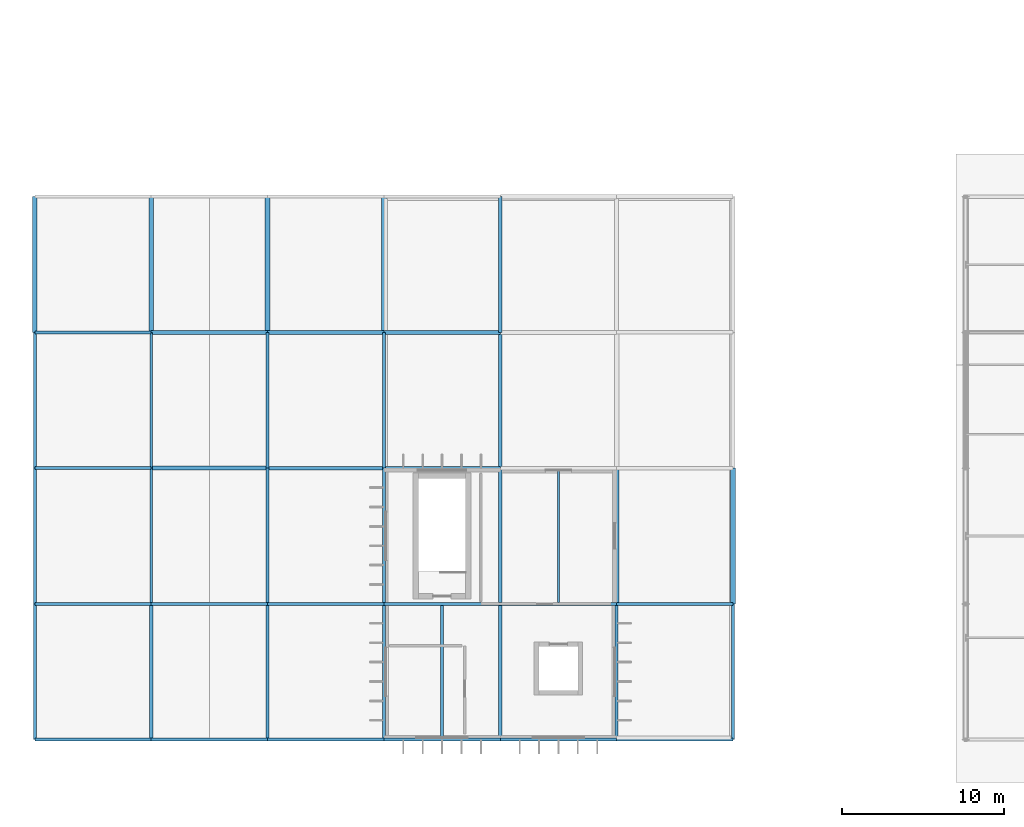
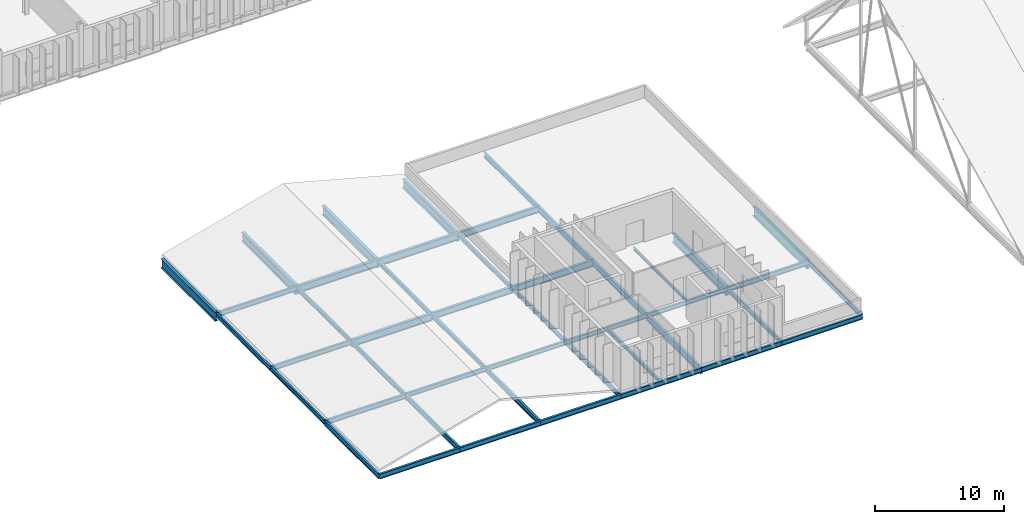
# One storey, part 17 of 99: 46 beams.
"""IFC4 building model written with IfcOpenShell, lengths in metres."""

from ifc_helpers import new_model, si_unit, direction, frame, origin, origin_2d, place, context, subcontext, project, spatial, i_section, extrude, material, material_profile, profile_set, type_object, element, save


model = new_model("IFC4")

# Units and contexts
model_context = context("Model", 3, precision=1e-05, world=origin(), true_north=direction((0.0, 1.0)))
body_context = subcontext(model_context, "Body", "Model", "MODEL_VIEW")
ifc_project = project(units=[si_unit("LENGTHUNIT", "METRE"), si_unit("AREAUNIT", "SQUARE_METRE"), si_unit("VOLUMEUNIT", "CUBIC_METRE"), si_unit("PLANEANGLEUNIT", "RADIAN"), si_unit("MASSUNIT", "GRAM", prefix="KILO")], contexts=[model_context])

# Site, building, storey
site_placement = place(None, origin())
site = spatial("IfcSite", under=ifc_project, at=site_placement, CompositionType="ELEMENT")
building_placement = place(site_placement, origin())
building = spatial("IfcBuilding", under=site, at=building_placement, Name="Qelthora Terrace Specialist Clinic", CompositionType="ELEMENT")
storey_placement = place(building_placement, frame((0.0, 0.0, 9.0)))
storey = spatial("IfcBuildingStorey", under=building, at=storey_placement, Name="L02", CompositionType="ELEMENT", Elevation=9.0)

# Beams
ifc_material = material(Name="Steel S355", Category="steel")
ifc_material_profile_1 = material_profile(ifc_material, i_section(OverallWidth=0.178955078125, OverallDepth=0.409912109375, WebThickness=0.0087890625, FlangeThickness=0.014404296875, FilletRadius=0.011962890625, at=origin_2d()), Name="W410X67")
ifc_profile_set_1 = profile_set([ifc_material_profile_1], Name="Steel S355")
beam_type_1 = type_object("IfcBeamType", Name="BM-W410X67", PredefinedType="BEAM", material=ifc_profile_set_1)
beam_1_placement = place(storey_placement, frame((14.39990234375, 8.39990234375, -0.455078125), z_axis=(1.0, 0.0, 0.0), x_axis=(0.0, 1.0, 0.0)))
element("IfcBeam", 1, at=beam_1_placement, inside=storey, type_object=beam_type_1, Name="Girder BMX-L02-0570", PredefinedType="BEAM", context=body_context, shape_type="SweptSolid", body=[
    extrude(i_section(OverallWidth=0.178955078125, OverallDepth=0.409912109375, WebThickness=0.0087890625, FlangeThickness=0.014404296875, FilletRadius=0.011962890625, at=origin_2d()), origin(), (0.0, 0.0, 1.0), 7.2001953125),
])
beam_2_placement = place(storey_placement, frame((28.800048828125, 8.39990234375, -0.455078125), z_axis=(1.0, 0.0, 0.0), x_axis=(0.0, 1.0, 0.0)))
element("IfcBeam", 2, at=beam_2_placement, inside=storey, type_object=beam_type_1, Name="Girder BMX-L02-0572", PredefinedType="BEAM", context=body_context, shape_type="SweptSolid", body=[
    extrude(i_section(OverallWidth=0.178955078125, OverallDepth=0.409912109375, WebThickness=0.0087890625, FlangeThickness=0.014404296875, FilletRadius=0.011962890625, at=origin_2d()), origin(), (0.0, 0.0, 1.0), 7.199951171875),
])
for number, where, z_axis, x_axis, name in (
    (3, (0.0, 16.800048828125, -0.455078125), (0.0, 1.0, 0.0), (-1.0, 0.0, 0.0), "Girder BMY-L02-0740"),
    (4, (7.199951171875, 16.800048828125, -0.455078125), (0.0, 1.0, 0.0), (-1.0, 0.0, 0.0), "Girder BMY-L02-0750"),
    (5, (14.39990234375, 16.800048828125, -0.455078125), (0.0, 1.0, 0.0), (-1.0, 0.0, 0.0), "Girder BMY-L02-0760"),
    (6, (21.60009765625, 16.800048828125, -0.458984375), (0.0, 1.0, 0.0), (-1.0, 0.0, 0.0), "Girder BMY-L02-0770"),
    (7, (36.0, 0.0, -0.458984375), (0.0, 1.0, 0.0), (-1.0, 0.0, 0.0), "Girder BMY-L02-0780"),
    (8, (43.199951171875, 0.0, -0.458984375), (0.0, 1.0, 0.0), (-1.0, 0.0, 0.0), "Girder BMY-L02-0790"),
):
    element("IfcBeam", number, at=place(storey_placement, frame(where, z_axis=z_axis, x_axis=x_axis)), inside=storey, type_object=beam_type_1, Name=name, PredefinedType="BEAM", context=body_context, shape_type="SweptSolid", body=[
        extrude(i_section(OverallWidth=0.178955078125, OverallDepth=0.409912109375, WebThickness=0.0087890625, FlangeThickness=0.014404296875, FilletRadius=0.011962890625, at=origin_2d()), origin(), (0.0, 0.0, 1.0), 8.39990234375),
    ])
ifc_material_profile_2 = material_profile(ifc_material, i_section(OverallWidth=0.179931640625, OverallDepth=0.4130859375, WebThickness=0.009765625, FlangeThickness=0.01611328125, FilletRadius=0.011962890625, at=origin_2d()), Name="W410X75")
ifc_profile_set_2 = profile_set([ifc_material_profile_2], Name="Steel S355")
beam_type_2 = type_object("IfcBeamType", Name="BM-W410X75", PredefinedType="BEAM", material=ifc_profile_set_2)
for number, where, z_axis, x_axis, name in (
    (9, (7.199951171875, 8.39990234375, -0.45654296875), (1.0, 0.0, 0.0), (0.0, 1.0, 0.0), "Girder BMX-L02-0569"),
    (10, (21.60009765625, 8.39990234375, -0.45654296875), (1.0, 0.0, 0.0), (0.0, 1.0, 0.0), "Girder BMX-L02-0571"),
):
    element("IfcBeam", number, at=place(storey_placement, frame(where, z_axis=z_axis, x_axis=x_axis)), inside=storey, type_object=beam_type_2, Name=name, PredefinedType="BEAM", context=body_context, shape_type="SweptSolid", body=[
        extrude(i_section(OverallWidth=0.179931640625, OverallDepth=0.4130859375, WebThickness=0.009765625, FlangeThickness=0.01611328125, FilletRadius=0.011962890625, at=origin_2d()), origin(), (0.0, 0.0, 1.0), 7.199951171875),
    ])
for number, where, z_axis, x_axis, name in (
    (11, (0.0, 8.39990234375, -0.45654296875), (0.0, 1.0, 0.0), (-1.0, 0.0, 0.0), "Girder BMY-L02-0739"),
    (12, (7.199951171875, 8.39990234375, -0.45654296875), (0.0, 1.0, 0.0), (-1.0, 0.0, 0.0), "Girder BMY-L02-0749"),
    (13, (14.39990234375, 8.39990234375, -0.45654296875), (0.0, 1.0, 0.0), (-1.0, 0.0, 0.0), "Girder BMY-L02-0759"),
    (14, (21.60009765625, 8.39990234375, -0.45654296875), (0.0, 1.0, 0.0), (-1.0, 0.0, 0.0), "Girder BMY-L02-0769"),
):
    element("IfcBeam", number, at=place(storey_placement, frame(where, z_axis=z_axis, x_axis=x_axis)), inside=storey, type_object=beam_type_2, Name=name, PredefinedType="BEAM", context=body_context, shape_type="SweptSolid", body=[
        extrude(i_section(OverallWidth=0.179931640625, OverallDepth=0.4130859375, WebThickness=0.009765625, FlangeThickness=0.01611328125, FilletRadius=0.011962890625, at=origin_2d()), origin(), (0.0, 0.0, 1.0), 8.400146484375),
    ])
ifc_material_profile_3 = material_profile(ifc_material, i_section(OverallWidth=0.19091796875, OverallDepth=0.4599609375, WebThickness=0.010009765625, FlangeThickness=0.01611328125, FilletRadius=0.012939453125, at=origin_2d()), Name="W460X82")
ifc_profile_set_3 = profile_set([ifc_material_profile_3], Name="Steel S355")
beam_type_3 = type_object("IfcBeamType", Name="BM-W460X82", PredefinedType="BEAM", material=ifc_profile_set_3)
beam_3_placement = place(storey_placement, frame((36.0, 8.39990234375, -0.48388671875), z_axis=(1.0, 0.0, 0.0), x_axis=(0.0, 1.0, 0.0)))
element("IfcBeam", 15, at=beam_3_placement, inside=storey, type_object=beam_type_3, Name="Girder BMX-L02-0573", PredefinedType="BEAM", context=body_context, shape_type="SweptSolid", body=[
    extrude(i_section(OverallWidth=0.19091796875, OverallDepth=0.4599609375, WebThickness=0.010009765625, FlangeThickness=0.01611328125, FilletRadius=0.012939453125, at=origin_2d()), origin(), (0.0, 0.0, 1.0), 7.199951171875),
])
for number, where, z_axis, x_axis, name in (
    (16, (0.0, 0.0, -0.47998046875), (0.0, 1.0, 0.0), (-1.0, 0.0, 0.0), "Girder BMY-L02-0738"),
    (17, (7.199951171875, 0.0, -0.47998046875), (0.0, 1.0, 0.0), (-1.0, 0.0, 0.0), "Girder BMY-L02-0748"),
    (18, (14.39990234375, 0.0, -0.47998046875), (0.0, 1.0, 0.0), (-1.0, 0.0, 0.0), "Girder BMY-L02-0758"),
    (19, (21.60009765625, 0.0, -0.47998046875), (0.0, 1.0, 0.0), (-1.0, 0.0, 0.0), "Girder BMY-L02-0768"),
):
    element("IfcBeam", number, at=place(storey_placement, frame(where, z_axis=z_axis, x_axis=x_axis)), inside=storey, type_object=beam_type_3, Name=name, PredefinedType="BEAM", context=body_context, shape_type="SweptSolid", body=[
        extrude(i_section(OverallWidth=0.19091796875, OverallDepth=0.4599609375, WebThickness=0.010009765625, FlangeThickness=0.01611328125, FilletRadius=0.012939453125, at=origin_2d()), origin(), (0.0, 0.0, 1.0), 8.39990234375),
    ])
ifc_material_profile_4 = material_profile(ifc_material, i_section(OverallWidth=0.193115234375, OverallDepth=0.466064453125, WebThickness=0.011474609375, FlangeThickness=0.01904296875, FilletRadius=0.012939453125, at=origin_2d()), Name="W460X97")
ifc_profile_set_4 = profile_set([ifc_material_profile_4], Name="Steel S355")
beam_type_4 = type_object("IfcBeamType", Name="BM-W460X97", PredefinedType="BEAM", material=ifc_profile_set_4)
beam_4_placement = place(storey_placement, frame((28.800048828125, 25.199951171875, -0.487060546875), z_axis=(0.0, 1.0, 0.0), x_axis=(-1.0, 0.0, 0.0)))
element("IfcBeam", 20, at=beam_4_placement, inside=storey, type_object=beam_type_4, Name="Girder BMY-L02-0777", PredefinedType="BEAM", context=body_context, shape_type="SweptSolid", body=[
    extrude(i_section(OverallWidth=0.193115234375, OverallDepth=0.466064453125, WebThickness=0.011474609375, FlangeThickness=0.01904296875, FilletRadius=0.012939453125, at=origin_2d()), origin(), (0.0, 0.0, 1.0), 8.400146484375),
])
ifc_material_profile_5 = material_profile(ifc_material, i_section(OverallWidth=0.2099609375, OverallDepth=0.537109375, WebThickness=0.010986328125, FlangeThickness=0.017333984375, FilletRadius=0.013916015625, at=origin_2d()), Name="W530X101")
ifc_profile_set_5 = profile_set([ifc_material_profile_5], Name="Steel S355")
beam_type_5 = type_object("IfcBeamType", Name="BM-W530X101", PredefinedType="BEAM", material=ifc_profile_set_5)
beam_5_placement = place(storey_placement, frame((28.800048828125, 16.800048828125, -0.5224609375), z_axis=(0.0, 1.0, 0.0), x_axis=(-1.0, 0.0, 0.0)))
element("IfcBeam", 21, at=beam_5_placement, inside=storey, type_object=beam_type_5, Name="Girder BMY-L02-0776", PredefinedType="BEAM", context=body_context, shape_type="SweptSolid", body=[
    extrude(i_section(OverallWidth=0.2099609375, OverallDepth=0.537109375, WebThickness=0.010986328125, FlangeThickness=0.017333984375, FilletRadius=0.013916015625, at=origin_2d()), origin(), (0.0, 0.0, 1.0), 8.39990234375),
])
ifc_material_profile_6 = material_profile(ifc_material, i_section(OverallWidth=0.2119140625, OverallDepth=0.5439453125, WebThickness=0.01318359375, FlangeThickness=0.021240234375, FilletRadius=0.013916015625, at=origin_2d()), Name="W530X123")
ifc_profile_set_6 = profile_set([ifc_material_profile_6], Name="Steel S355")
beam_type_6 = type_object("IfcBeamType", Name="BM-W530X123", PredefinedType="BEAM", material=ifc_profile_set_6)
beam_6_placement = place(storey_placement, frame((28.800048828125, 8.39990234375, -0.52197265625), z_axis=(0.0, 1.0, 0.0), x_axis=(-1.0, 0.0, 0.0)))
element("IfcBeam", 22, at=beam_6_placement, inside=storey, type_object=beam_type_6, Name="Girder BMY-L02-0775", PredefinedType="BEAM", context=body_context, shape_type="SweptSolid", body=[
    extrude(i_section(OverallWidth=0.2119140625, OverallDepth=0.5439453125, WebThickness=0.01318359375, FlangeThickness=0.021240234375, FilletRadius=0.013916015625, at=origin_2d()), origin(), (0.0, 0.0, 1.0), 8.400146484375),
])
ifc_material_profile_7 = material_profile(ifc_material, i_section(OverallWidth=0.22900390625, OverallDepth=0.612060546875, WebThickness=0.011962890625, FlangeThickness=0.01953125, FilletRadius=0.01611328125, at=origin_2d()), Name="W610X125")
ifc_profile_set_7 = profile_set([ifc_material_profile_7], Name="Steel S355")
beam_type_7 = type_object("IfcBeamType", Name="BM-W610X125", PredefinedType="BEAM", material=ifc_profile_set_7)
beam_7_placement = place(storey_placement, frame((21.60009765625, 16.800048828125, -0.56005859375), z_axis=(1.0, 0.0, 0.0), x_axis=(0.0, 1.0, 0.0)))
element("IfcBeam", 23, at=beam_7_placement, inside=storey, type_object=beam_type_7, Name="Girder BMX-L02-0578", PredefinedType="BEAM", context=body_context, shape_type="SweptSolid", body=[
    extrude(i_section(OverallWidth=0.22900390625, OverallDepth=0.612060546875, WebThickness=0.011962890625, FlangeThickness=0.01953125, FilletRadius=0.01611328125, at=origin_2d()), origin(), (0.0, 0.0, 1.0), 7.199951171875),
])
ifc_material_profile_8 = material_profile(ifc_material, i_section(OverallWidth=0.22998046875, OverallDepth=0.616943359375, WebThickness=0.01318359375, FlangeThickness=0.022216796875, FilletRadius=0.01611328125, at=origin_2d()), Name="W610X140")
ifc_profile_set_8 = profile_set([ifc_material_profile_8], Name="Steel S355")
beam_type_8 = type_object("IfcBeamType", Name="BM-W610X140", PredefinedType="BEAM", material=ifc_profile_set_8)
beam_8_placement = place(storey_placement, frame((14.39990234375, 16.800048828125, -0.55859375), z_axis=(1.0, 0.0, 0.0), x_axis=(0.0, 1.0, 0.0)))
element("IfcBeam", 24, at=beam_8_placement, inside=storey, type_object=beam_type_8, Name="Girder BMX-L02-0577", PredefinedType="BEAM", context=body_context, shape_type="SweptSolid", body=[
    extrude(i_section(OverallWidth=0.22998046875, OverallDepth=0.616943359375, WebThickness=0.01318359375, FlangeThickness=0.022216796875, FilletRadius=0.01611328125, at=origin_2d()), origin(), (0.0, 0.0, 1.0), 7.2001953125),
])
beam_9_placement = place(storey_placement, frame((21.60009765625, 25.199951171875, -0.5625), z_axis=(1.0, 0.0, 0.0), x_axis=(0.0, 1.0, 0.0)))
element("IfcBeam", 25, at=beam_9_placement, inside=storey, type_object=beam_type_8, Name="Girder BMX-L02-0591", PredefinedType="BEAM", context=body_context, shape_type="SweptSolid", body=[
    extrude(i_section(OverallWidth=0.22998046875, OverallDepth=0.616943359375, WebThickness=0.01318359375, FlangeThickness=0.022216796875, FilletRadius=0.01611328125, at=origin_2d()), origin(), (0.0, 0.0, 1.0), 7.199951171875),
])
beam_10_placement = place(storey_placement, frame((28.800048828125, 0.0, -0.55859375), z_axis=(0.0, 1.0, 0.0), x_axis=(-1.0, 0.0, 0.0)))
element("IfcBeam", 26, at=beam_10_placement, inside=storey, type_object=beam_type_8, Name="Girder BMY-L02-0774", PredefinedType="BEAM", context=body_context, shape_type="SweptSolid", body=[
    extrude(i_section(OverallWidth=0.22998046875, OverallDepth=0.616943359375, WebThickness=0.01318359375, FlangeThickness=0.022216796875, FilletRadius=0.01611328125, at=origin_2d()), origin(), (0.0, 0.0, 1.0), 8.39990234375),
])
ifc_material_profile_9 = material_profile(ifc_material, i_section(OverallWidth=0.25390625, OverallDepth=0.68798828125, WebThickness=0.01318359375, FlangeThickness=0.02099609375, FilletRadius=0.01806640625, at=origin_2d()), Name="W690X152")
ifc_profile_set_9 = profile_set([ifc_material_profile_9], Name="Steel S355")
beam_type_9 = type_object("IfcBeamType", Name="BM-W690X152", PredefinedType="BEAM", material=ifc_profile_set_9)
beam_11_placement = place(storey_placement, frame((7.199951171875, 16.800048828125, -0.593994140625), z_axis=(1.0, 0.0, 0.0), x_axis=(0.0, 1.0, 0.0)))
element("IfcBeam", 27, at=beam_11_placement, inside=storey, type_object=beam_type_9, Name="Girder BMX-L02-0576", PredefinedType="BEAM", context=body_context, shape_type="SweptSolid", body=[
    extrude(i_section(OverallWidth=0.25390625, OverallDepth=0.68798828125, WebThickness=0.01318359375, FlangeThickness=0.02099609375, FilletRadius=0.01806640625, at=origin_2d()), origin(), (0.0, 0.0, 1.0), 7.199951171875),
])
beam_12_placement = place(storey_placement, frame((14.39990234375, 25.199951171875, -0.593994140625), z_axis=(1.0, 0.0, 0.0), x_axis=(0.0, 1.0, 0.0)))
element("IfcBeam", 28, at=beam_12_placement, inside=storey, type_object=beam_type_9, Name="Girder BMX-L02-0590", PredefinedType="BEAM", context=body_context, shape_type="SweptSolid", body=[
    extrude(i_section(OverallWidth=0.25390625, OverallDepth=0.68798828125, WebThickness=0.01318359375, FlangeThickness=0.02099609375, FilletRadius=0.01806640625, at=origin_2d()), origin(), (0.0, 0.0, 1.0), 7.2001953125),
])
ifc_material_profile_10 = material_profile(ifc_material, i_section(OverallWidth=0.256103515625, OverallDepth=0.693115234375, WebThickness=0.014404296875, FlangeThickness=0.023681640625, FilletRadius=0.01806640625, at=origin_2d()), Name="W690X170")
ifc_profile_set_10 = profile_set([ifc_material_profile_10], Name="Steel S355")
beam_type_10 = type_object("IfcBeamType", Name="BM-W690X170", PredefinedType="BEAM", material=ifc_profile_set_10)
beam_13_placement = place(storey_placement, frame((7.199951171875, 25.199951171875, -0.596435546875), z_axis=(1.0, 0.0, 0.0), x_axis=(0.0, 1.0, 0.0)))
element("IfcBeam", 29, at=beam_13_placement, inside=storey, type_object=beam_type_10, Name="Girder BMX-L02-0589", PredefinedType="BEAM", context=body_context, shape_type="SweptSolid", body=[
    extrude(i_section(OverallWidth=0.256103515625, OverallDepth=0.693115234375, WebThickness=0.014404296875, FlangeThickness=0.023681640625, FilletRadius=0.01806640625, at=origin_2d()), origin(), (0.0, 0.0, 1.0), 7.199951171875),
])
ifc_material_profile_11 = material_profile(ifc_material, i_section(OverallWidth=0.2939453125, OverallDepth=0.85107421875, WebThickness=0.01611328125, FlangeThickness=0.02685546875, FilletRadius=0.02001953125, at=origin_2d()), Name="W840X226")
ifc_profile_set_11 = profile_set([ifc_material_profile_11], Name="Steel S355")
beam_type_11 = type_object("IfcBeamType", Name="BM-W840X226", PredefinedType="BEAM", material=ifc_profile_set_11)
for number, where, z_axis, x_axis, name in (
    (30, (0.0, 25.199951171875, -0.675537109375), (0.0, 1.0, 0.0), (-1.0, 0.0, 0.0), "Girder BMY-L02-0741"),
    (31, (7.199951171875, 25.199951171875, -0.675537109375), (0.0, 1.0, 0.0), (-1.0, 0.0, 0.0), "Girder BMY-L02-0751"),
    (32, (14.39990234375, 25.199951171875, -0.675537109375), (0.0, 1.0, 0.0), (-1.0, 0.0, 0.0), "Girder BMY-L02-0761"),
    (33, (21.60009765625, 25.199951171875, -0.679443359375), (0.0, 1.0, 0.0), (-1.0, 0.0, 0.0), "Girder BMY-L02-0771"),
    (34, (36.0, 8.39990234375, -0.679443359375), (0.0, 1.0, 0.0), (-1.0, 0.0, 0.0), "Girder BMY-L02-0781"),
    (35, (43.199951171875, 8.39990234375, -0.679443359375), (0.0, 1.0, 0.0), (-1.0, 0.0, 0.0), "Girder BMY-L02-0791"),
):
    element("IfcBeam", number, at=place(storey_placement, frame(where, z_axis=z_axis, x_axis=x_axis)), inside=storey, type_object=beam_type_11, Name=name, PredefinedType="BEAM", context=body_context, shape_type="SweptSolid", body=[
        extrude(i_section(OverallWidth=0.2939453125, OverallDepth=0.85107421875, WebThickness=0.01611328125, FlangeThickness=0.02685546875, FilletRadius=0.02001953125, at=origin_2d()), origin(), (0.0, 0.0, 1.0), 8.400146484375),
    ])
ifc_material_profile_12 = material_profile(ifc_material, i_section(OverallWidth=0.14599609375, OverallDepth=0.258056640625, WebThickness=0.006103515625, FlangeThickness=0.009033203125, FilletRadius=0.009033203125, at=origin_2d()), Name="W250X33")
ifc_profile_set_12 = profile_set([ifc_material_profile_12], Name="Steel S355")
beam_type_12 = type_object("IfcBeamType", Name="JST-W250X33", PredefinedType="JOIST", material=ifc_profile_set_12)
beam_14_placement = place(storey_placement, frame((32.39990234375, 8.489501953125, -0.37890625), z_axis=(0.0, 1.0, 0.0), x_axis=(-1.0, 0.0, 0.0)))
element("IfcBeam", 36, at=beam_14_placement, inside=storey, type_object=beam_type_12, Name="Composite floor joist JST-L02-0162", PredefinedType="JOIST", context=body_context, shape_type="SweptSolid", body=[
    extrude(i_section(OverallWidth=0.14599609375, OverallDepth=0.258056640625, WebThickness=0.006103515625, FlangeThickness=0.009033203125, FilletRadius=0.009033203125, at=origin_2d()), origin(), (0.0, 0.0, 1.0), 8.20458984375),
])
ifc_material_profile_13 = material_profile(ifc_material, i_section(OverallWidth=0.1669921875, OverallDepth=0.31689453125, WebThickness=0.007568359375, FlangeThickness=0.01318359375, FilletRadius=0.010009765625, at=origin_2d()), Name="W310X52")
ifc_profile_set_13 = profile_set([ifc_material_profile_13], Name="Steel S355")
beam_type_13 = type_object("IfcBeamType", Name="JST-W310X52", PredefinedType="JOIST", material=ifc_profile_set_13)
beam_15_placement = place(storey_placement, frame((25.199951171875, 0.095458984375, -0.408447265625), z_axis=(0.0, 1.0, 0.0), x_axis=(-1.0, 0.0, 0.0)))
element("IfcBeam", 37, at=beam_15_placement, inside=storey, type_object=beam_type_13, Name="Composite floor joist JST-L02-0159", PredefinedType="JOIST", context=body_context, shape_type="SweptSolid", body=[
    extrude(i_section(OverallWidth=0.1669921875, OverallDepth=0.31689453125, WebThickness=0.007568359375, FlangeThickness=0.01318359375, FilletRadius=0.010009765625, at=origin_2d()), origin(), (0.0, 0.0, 1.0), 8.214599609375),
])
ifc_material_profile_14 = material_profile(ifc_material, i_section(OverallWidth=0.19091796875, OverallDepth=0.4599609375, WebThickness=0.010009765625, FlangeThickness=0.01611328125, FilletRadius=0.012939453125, at=origin_2d()), Name="W460X82")
ifc_profile_set_14 = profile_set([ifc_material_profile_14], Name="Steel S355")
beam_type_14 = type_object("IfcBeamType", Name="SPD-W460X82", PredefinedType="SPANDREL", material=ifc_profile_set_14)
for number, where, z_axis, x_axis, name in (
    (38, (0.0, 0.0, -0.47998046875), (1.0, 0.0, 0.0), (0.0, 1.0, 0.0), "Girder BMX-L02-0550"),
    (39, (7.199951171875, 0.0, -0.47998046875), (1.0, 0.0, 0.0), (0.0, 1.0, 0.0), "Girder BMX-L02-0551"),
):
    element("IfcBeam", number, at=place(storey_placement, frame(where, z_axis=z_axis, x_axis=x_axis)), inside=storey, type_object=beam_type_14, Name=name, PredefinedType="SPANDREL", context=body_context, shape_type="SweptSolid", body=[
        extrude(i_section(OverallWidth=0.19091796875, OverallDepth=0.4599609375, WebThickness=0.010009765625, FlangeThickness=0.01611328125, FilletRadius=0.012939453125, at=origin_2d()), origin(), (0.0, 0.0, 1.0), 7.199951171875),
    ])
beam_16_placement = place(storey_placement, frame((14.39990234375, 0.0, -0.47998046875), z_axis=(1.0, 0.0, 0.0), x_axis=(0.0, 1.0, 0.0)))
element("IfcBeam", 40, at=beam_16_placement, inside=storey, type_object=beam_type_14, Name="Girder BMX-L02-0552", PredefinedType="SPANDREL", context=body_context, shape_type="SweptSolid", body=[
    extrude(i_section(OverallWidth=0.19091796875, OverallDepth=0.4599609375, WebThickness=0.010009765625, FlangeThickness=0.01611328125, FilletRadius=0.012939453125, at=origin_2d()), origin(), (0.0, 0.0, 1.0), 7.2001953125),
])
for number, where, z_axis, x_axis, name in (
    (41, (21.60009765625, 0.0, -0.47998046875), (1.0, 0.0, 0.0), (0.0, 1.0, 0.0), "Girder BMX-L02-0553"),
    (42, (28.800048828125, 0.0, -0.47998046875), (1.0, 0.0, 0.0), (0.0, 1.0, 0.0), "Girder BMX-L02-0554"),
    (43, (36.0, 0.0, -0.48388671875), (1.0, 0.0, 0.0), (0.0, 1.0, 0.0), "Girder BMX-L02-0555"),
    (44, (0.0, 8.39990234375, -0.47998046875), (1.0, 0.0, 0.0), (0.0, 1.0, 0.0), "Girder BMX-L02-0568"),
    (45, (0.0, 16.800048828125, -0.47998046875), (1.0, 0.0, 0.0), (0.0, 1.0, 0.0), "Girder BMX-L02-0575"),
    (46, (0.0, 25.199951171875, -0.47998046875), (1.0, 0.0, 0.0), (0.0, 1.0, 0.0), "Girder BMX-L02-0588"),
):
    element("IfcBeam", number, at=place(storey_placement, frame(where, z_axis=z_axis, x_axis=x_axis)), inside=storey, type_object=beam_type_14, Name=name, PredefinedType="SPANDREL", context=body_context, shape_type="SweptSolid", body=[
        extrude(i_section(OverallWidth=0.19091796875, OverallDepth=0.4599609375, WebThickness=0.010009765625, FlangeThickness=0.01611328125, FilletRadius=0.012939453125, at=origin_2d()), origin(), (0.0, 0.0, 1.0), 7.199951171875),
    ])

save(model, "model.ifc")
